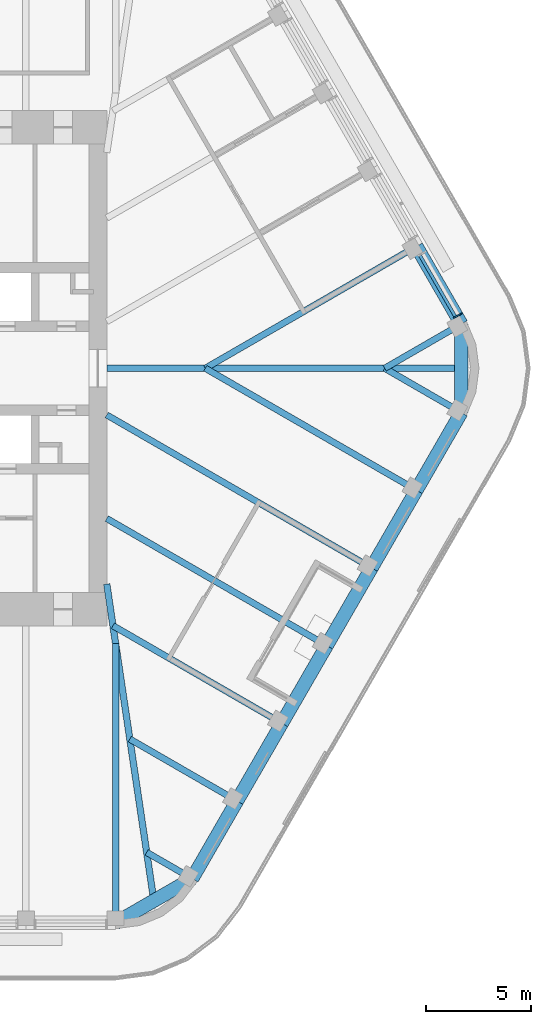
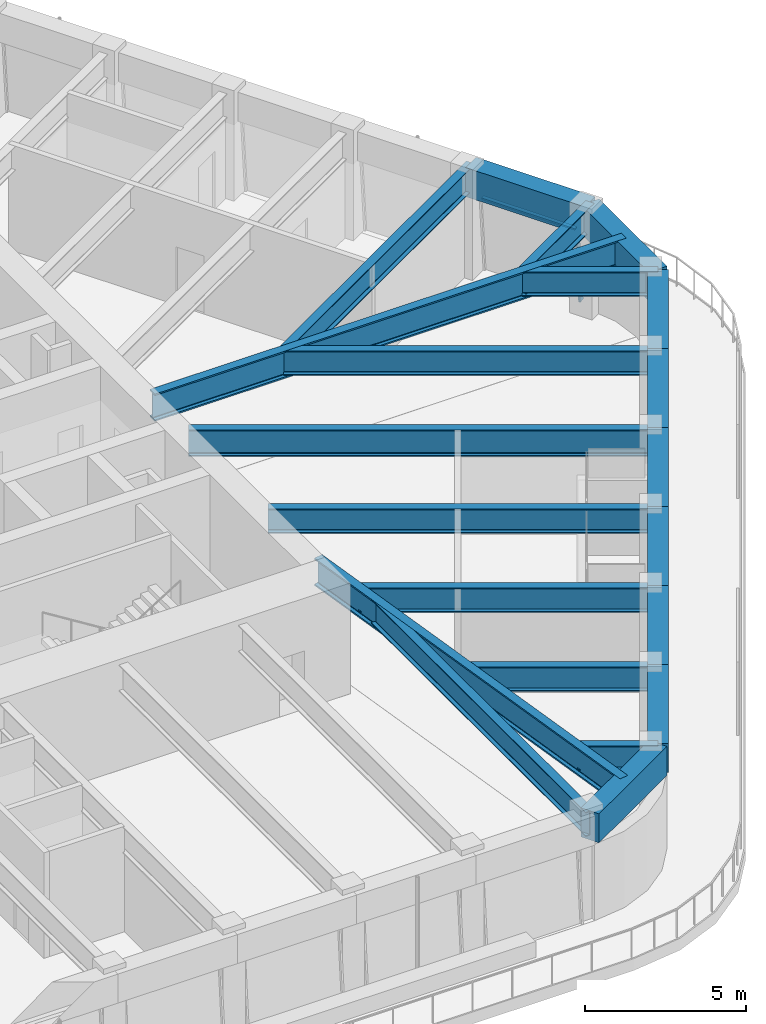
# One storey, part 5 of 19: 21 beams, 2 members, 1 element without a shape of its own.
"""IFC4 building model written with IfcOpenShell, lengths in metres."""

from ifc_helpers import new_model, si_unit, direction, frame, origin, origin_2d, place, context, subcontext, project, spatial, rectangle, i_section, extrude, material, material_profile, profile_set, type_object, element, aggregate, save


model = new_model("IFC4")

# Units and contexts
model_context = context("Model", 3, precision=1e-05, world=origin(), true_north=direction((0.0, 1.0)))
body_context = subcontext(model_context, "Body", "Model", "MODEL_VIEW")
ifc_project = project(units=[si_unit("LENGTHUNIT", "METRE"), si_unit("AREAUNIT", "SQUARE_METRE"), si_unit("VOLUMEUNIT", "CUBIC_METRE"), si_unit("PLANEANGLEUNIT", "RADIAN"), si_unit("MASSUNIT", "GRAM", prefix="KILO")], contexts=[model_context])

# Site, building, storey
site_placement = place(None, origin())
site = spatial("IfcSite", under=ifc_project, at=site_placement, CompositionType="ELEMENT")
building_placement = place(site_placement, origin())
building = spatial("IfcBuilding", under=site, at=building_placement, Name="Tarfa Lantern Tower", CompositionType="ELEMENT")
storey_placement = place(building_placement, frame((0.0, 0.0, 374.5)))
storey = spatial("IfcBuildingStorey", under=building, at=storey_placement, Name="L85", CompositionType="ELEMENT", Elevation=374.5)

# Curtain wall, members
ifc_material_1 = material(Name="Aluminium framed curtain wall", Category="aluminium")
curtain_wall_type = type_object("IfcCurtainWallType", Name="CW4 CANTED GLAZING EXECUTIVE ZONE 2900", PredefinedType="USERDEFINED", material=ifc_material_1)
curtain_wall_placement = place(storey_placement, origin())
curtain_wall = element("IfcCurtainWall", 1, at=curtain_wall_placement, inside=storey, type_object=curtain_wall_type, Name="CW4 NE L85", ObjectType="CURTAIN WALL", PredefinedType="USERDEFINED")
ifc_material_2 = material(Name="Aluminium mullion", Category="aluminium")
ifc_material_profile_1 = material_profile(ifc_material_2, rectangle(XDim=0.06494140625, YDim=0.199951171875, at=origin_2d()), Name="AL MULLION 65x200")
ifc_profile_set_1 = profile_set([ifc_material_profile_1], Name="Aluminium mullion")
member_type_1 = type_object("IfcMemberType", Name="CWM1 MULLION 65x200", PredefinedType="MULLION", material=ifc_profile_set_1)
member_1_placement = place(storey_placement, frame((29.286376953125, 2.574462890625, 0.0), z_axis=(-0.074399820079, -0.042945555672, 0.996303340364), x_axis=(0.499919672301, -0.866071776036, 0.0)))
member_1 = element("IfcMember", 2, at=member_1_placement, type_object=member_type_1, Name="CW4 mullion 1", PredefinedType="MULLION", context=body_context, shape_type="SweptSolid", body=[
    extrude(rectangle(XDim=0.06494140625, YDim=0.199951171875, at=origin_2d()), origin(), (0.0, 0.0, 1.0), 2.91064453125),
])
ifc_material_3 = material(Name="Aluminium transom", Category="aluminium")
ifc_material_profile_2 = material_profile(ifc_material_3, rectangle(XDim=0.14990234375, YDim=0.06494140625, at=origin_2d()), Name="AL TRANSOM 150x65")
ifc_profile_set_2 = profile_set([ifc_material_profile_2], Name="Aluminium transom")
member_type_2 = type_object("IfcMemberType", Name="CWT1 TRANSOM 150x65", PredefinedType="USERDEFINED", material=ifc_profile_set_2)
member_2_placement = place(storey_placement, frame((29.055908203125, 2.47900390625, 2.867431640625), z_axis=(-0.499930512259, 0.866065518833, 0.0), x_axis=(-0.866065518833, -0.499930512259, 0.0)))
member_2 = element("IfcMember", 3, at=member_2_placement, type_object=member_type_2, Name="CW4 transom 1.2", ObjectType="TRANSOM", PredefinedType="USERDEFINED", context=body_context, shape_type="SweptSolid", body=[
    extrude(rectangle(XDim=0.14990234375, YDim=0.06494140625, at=origin_2d()), origin(), (0.0, 0.0, 1.0), 3.35205078125),
])
aggregate(curtain_wall, [member_1, member_2])

# Beams
ifc_material_4 = material(Name="Concrete C80/95", Category="concrete")
ifc_material_profile_3 = material_profile(ifc_material_4, rectangle(XDim=0.64990234375, YDim=1.10009765625, at=origin_2d()), Name="RC 650x1100")
ifc_profile_set_3 = profile_set([ifc_material_profile_3], Name="Concrete C80/95")
beam_type_1 = type_object("IfcBeamType", Name="EB4 RC 650x1100", PredefinedType="SPANDREL", material=ifc_profile_set_3)
beam_1_placement = place(storey_placement, frame((29.3466796875, 2.110107421875, 3.449951171875), z_axis=(-0.499984039138, 0.866034618596, 0.0), x_axis=(-0.866034618596, -0.499984039138, 0.0)))
element("IfcBeam", 4, at=beam_1_placement, inside=storey, type_object=beam_type_1, Name="Edge beam NE0", PredefinedType="SPANDREL", context=body_context, shape_type="SweptSolid", body=[
    extrude(rectangle(XDim=0.64990234375, YDim=1.10009765625, at=origin_2d()), origin(), (0.0, 0.0, 1.0), 4.281982421875),
])
beam_2_placement = place(storey_placement, frame((12.845947265625, -26.469970703125, 3.449951171875), z_axis=(0.866048788483, 0.499959494327, 0.0), x_axis=(-0.499959494327, 0.866048788483, 0.0)))
element("IfcBeam", 5, at=beam_2_placement, inside=storey, type_object=beam_type_1, Name="Edge beam S6", PredefinedType="SPANDREL", context=body_context, shape_type="SweptSolid", body=[
    extrude(rectangle(XDim=0.64990234375, YDim=1.10009765625, at=origin_2d()), origin(), (0.0, 0.0, 1.0), 4.219970703125),
])
for number, where, z_axis, x_axis, name in (
    (6, (16.500732421875, -24.360107421875, 3.449951171875), (0.499959351497, 0.866048870937, 0.0), (-0.866048870937, 0.499959351497, 0.0), "Edge beam SE0"),
    (7, (18.6416015625, -20.651611328125, 3.449951171875), (0.500026801138, 0.866009929587, 0.0), (-0.866009929587, 0.500026801138, 0.0), "Edge beam SE1"),
    (8, (20.78271484375, -16.943359375, 3.449951171875), (0.499984039138, 0.866034618596, 0.0), (-0.866034618596, 0.499984039138, 0.0), "Edge beam SE2"),
):
    element("IfcBeam", number, at=place(storey_placement, frame(where, z_axis=z_axis, x_axis=x_axis)), inside=storey, type_object=beam_type_1, Name=name, PredefinedType="SPANDREL", context=body_context, shape_type="SweptSolid", body=[
        extrude(rectangle(XDim=0.64990234375, YDim=1.10009765625, at=origin_2d()), origin(), (0.0, 0.0, 1.0), 4.281982421875),
    ])
beam_3_placement = place(storey_placement, frame((22.923583984375, -13.235107421875, 3.449951171875), z_axis=(0.500002112793, 0.866024183959, 0.0), x_axis=(-0.866024183959, 0.500002112793, 0.0)))
element("IfcBeam", 9, at=beam_3_placement, inside=storey, type_object=beam_type_1, Name="Edge beam SE3", PredefinedType="SPANDREL", context=body_context, shape_type="SweptSolid", body=[
    extrude(rectangle(XDim=0.64990234375, YDim=1.10009765625, at=origin_2d()), origin(), (0.0, 0.0, 1.0), 4.2822265625),
])
for number, where, z_axis, x_axis, name in (
    (10, (25.064697265625, -9.526611328125, 3.449951171875), (0.500026801138, 0.866009929587, 0.0), (-0.866009929587, 0.500026801138, 0.0), "Edge beam SE4"),
    (11, (27.205810546875, -5.818359375, 3.449951171875), (0.499984039138, 0.866034618596, 0.0), (-0.866034618596, 0.499984039138, 0.0), "Edge beam SE5"),
):
    element("IfcBeam", number, at=place(storey_placement, frame(where, z_axis=z_axis, x_axis=x_axis)), inside=storey, type_object=beam_type_1, Name=name, PredefinedType="SPANDREL", context=body_context, shape_type="SweptSolid", body=[
        extrude(rectangle(XDim=0.64990234375, YDim=1.10009765625, at=origin_2d()), origin(), (0.0, 0.0, 1.0), 4.281982421875),
    ])
beam_4_placement = place(storey_placement, frame((29.3466796875, -2.110107421875, 3.449951171875), z_axis=(0.0, 1.0, 0.0), x_axis=(-1.0, 0.0, 0.0)))
element("IfcBeam", 12, at=beam_4_placement, inside=storey, type_object=beam_type_1, Name="Edge beam SE6", PredefinedType="SPANDREL", context=body_context, shape_type="SweptSolid", body=[
    extrude(rectangle(XDim=0.64990234375, YDim=1.10009765625, at=origin_2d()), origin(), (0.0, 0.0, 1.0), 4.22021484375),
])
ifc_material_5 = material(Name="Steel S460M", Category="steel")
ifc_material_profile_4 = material_profile(ifc_material_5, i_section(OverallWidth=0.302001953125, OverallDepth=1.008056640625, WebThickness=0.02099609375, FlangeThickness=0.0400390625, FilletRadius=0.030029296875, at=origin_2d()), Name="UB1016x305x349")
ifc_profile_set_4 = profile_set([ifc_material_profile_4], Name="Steel S460M")
beam_type_2 = type_object("IfcBeamType", Name="UB1016x305x349", PredefinedType="BEAM", material=ifc_profile_set_4)
beam_5_placement = place(storey_placement, frame((25.064697265625, -9.526611328125, 3.495849609375), z_axis=(-0.866029591389, 0.499992746786, 0.0), x_axis=(-0.499992746786, -0.866029591389, 0.0)))
element("IfcBeam", 13, at=beam_5_placement, inside=storey, type_object=beam_type_2, Name="Floor beam SE4", PredefinedType="BEAM", context=body_context, shape_type="SweptSolid", body=[
    extrude(i_section(OverallWidth=0.302001953125, OverallDepth=1.008056640625, WebThickness=0.02099609375, FlangeThickness=0.0400390625, FilletRadius=0.030029296875, at=origin_2d()), origin(), (0.0, 0.0, 1.0), 14.594970703125),
])
ifc_material_profile_5 = material_profile(ifc_material_5, i_section(OverallWidth=0.30859375, OverallDepth=1.036376953125, WebThickness=0.030029296875, FlangeThickness=0.05419921875, FilletRadius=0.030029296875, at=origin_2d()), Name="UB1016x305x487")
ifc_profile_set_5 = profile_set([ifc_material_profile_5], Name="Steel S460M")
beam_type_3 = type_object("IfcBeamType", Name="UB1016x305x487", PredefinedType="BEAM", material=ifc_profile_set_5)
beam_6_placement = place(storey_placement, frame((12.425048828125, 0.0, 3.48193359375), z_axis=(1.0, 0.0, 0.0), x_axis=(0.0, 1.0, 0.0)))
element("IfcBeam", 14, at=beam_6_placement, inside=storey, type_object=beam_type_3, Name="Hip girder E", PredefinedType="BEAM", context=body_context, shape_type="SweptSolid", body=[
    extrude(i_section(OverallWidth=0.30859375, OverallDepth=1.036376953125, WebThickness=0.030029296875, FlangeThickness=0.05419921875, FilletRadius=0.030029296875, at=origin_2d()), origin(), (0.0, 0.0, 1.0), 16.921630859375),
])
beam_7_placement = place(storey_placement, frame((12.425048828125, -10.300048828125, 3.48193359375), z_axis=(0.147127069073, -0.989117599452, 0.0), x_axis=(0.989117599452, 0.147127069073, 0.0)))
element("IfcBeam", 15, at=beam_7_placement, inside=storey, type_object=beam_type_3, Name="Hip girder SE", PredefinedType="BEAM", context=body_context, shape_type="SweptSolid", body=[
    extrude(i_section(OverallWidth=0.30859375, OverallDepth=1.036376953125, WebThickness=0.030029296875, FlangeThickness=0.05419921875, FilletRadius=0.030029296875, at=origin_2d()), origin(), (0.0, 0.0, 1.0), 15.28125),
])
ifc_material_profile_6 = material_profile(ifc_material_5, i_section(OverallWidth=0.305419921875, OverallDepth=0.91845703125, WebThickness=0.017333984375, FlangeThickness=0.02783203125, FilletRadius=0.01904296875, at=origin_2d()), Name="UB914x305x253")
ifc_profile_set_6 = profile_set([ifc_material_profile_6], Name="Steel S460M")
beam_type_4 = type_object("IfcBeamType", Name="UB914x305x253", PredefinedType="BEAM", material=ifc_profile_set_6)
beam_8_placement = place(storey_placement, frame((29.3466796875, 2.110107421875, 3.540771484375), z_axis=(-0.866009274789, -0.500027935199, 0.0), x_axis=(0.500027935199, -0.866009274789, 0.0)))
element("IfcBeam", 16, at=beam_8_placement, inside=storey, type_object=beam_type_4, Name="Floor beam NE0", PredefinedType="BEAM", context=body_context, shape_type="SweptSolid", body=[
    extrude(i_section(OverallWidth=0.305419921875, OverallDepth=0.91845703125, WebThickness=0.017333984375, FlangeThickness=0.02783203125, FilletRadius=0.01904296875, at=origin_2d()), origin(), (0.0, 0.0, 1.0), 4.219970703125),
])
beam_9_placement = place(storey_placement, frame((27.205810546875, 5.818359375, 3.540771484375), z_axis=(-0.866024171998, -0.500002133511, 0.0), x_axis=(0.500002133511, -0.866024171998, 0.0)))
element("IfcBeam", 17, at=beam_9_placement, inside=storey, type_object=beam_type_4, Name="Floor beam NE1", PredefinedType="BEAM", context=body_context, shape_type="SweptSolid", body=[
    extrude(i_section(OverallWidth=0.305419921875, OverallDepth=0.91845703125, WebThickness=0.017333984375, FlangeThickness=0.02783203125, FilletRadius=0.01904296875, at=origin_2d()), origin(), (0.0, 0.0, 1.0), 11.63671875),
])
beam_10_placement = place(storey_placement, frame((12.845947265625, -26.469970703125, 3.540771484375), z_axis=(0.0, 1.0, 0.0), x_axis=(-1.0, 0.0, 0.0)))
element("IfcBeam", 18, at=beam_10_placement, inside=storey, type_object=beam_type_4, Name="Floor beam S6", PredefinedType="BEAM", context=body_context, shape_type="SweptSolid", body=[
    extrude(i_section(OverallWidth=0.305419921875, OverallDepth=0.91845703125, WebThickness=0.017333984375, FlangeThickness=0.02783203125, FilletRadius=0.01904296875, at=origin_2d()), origin(), (0.0, 0.0, 1.0), 13.33935546875),
])
beam_11_placement = place(storey_placement, frame((16.500732421875, -24.360107421875, 3.540771484375), z_axis=(-0.865992557167, 0.500056887695, 0.0), x_axis=(-0.500056887695, -0.865992557167, 0.0)))
element("IfcBeam", 19, at=beam_11_placement, inside=storey, type_object=beam_type_4, Name="Floor beam SE0", PredefinedType="BEAM", context=body_context, shape_type="SweptSolid", body=[
    extrude(i_section(OverallWidth=0.305419921875, OverallDepth=0.91845703125, WebThickness=0.017333984375, FlangeThickness=0.02783203125, FilletRadius=0.01904296875, at=origin_2d()), origin(), (0.0, 0.0, 1.0), 2.506591796875),
])
beam_12_placement = place(storey_placement, frame((18.6416015625, -20.651611328125, 3.540771484375), z_axis=(-0.866024549157, 0.500001480256, 0.0), x_axis=(-0.500001480256, -0.866024549157, 0.0)))
element("IfcBeam", 20, at=beam_12_placement, inside=storey, type_object=beam_type_4, Name="Floor beam SE1", PredefinedType="BEAM", context=body_context, shape_type="SweptSolid", body=[
    extrude(i_section(OverallWidth=0.305419921875, OverallDepth=0.91845703125, WebThickness=0.017333984375, FlangeThickness=0.02783203125, FilletRadius=0.01904296875, at=origin_2d()), origin(), (0.0, 0.0, 1.0), 5.90771484375),
])
beam_13_placement = place(storey_placement, frame((20.78271484375, -16.943359375, 3.540771484375), z_axis=(-0.866021806508, 0.500006230613, 0.0), x_axis=(-0.500006230613, -0.866021806508, 0.0)))
element("IfcBeam", 21, at=beam_13_placement, inside=storey, type_object=beam_type_4, Name="Floor beam SE2", PredefinedType="BEAM", context=body_context, shape_type="SweptSolid", body=[
    extrude(i_section(OverallWidth=0.305419921875, OverallDepth=0.91845703125, WebThickness=0.017333984375, FlangeThickness=0.02783203125, FilletRadius=0.01904296875, at=origin_2d()), origin(), (0.0, 0.0, 1.0), 9.30908203125),
])
beam_14_placement = place(storey_placement, frame((22.923583984375, -13.235107421875, 3.540771484375), z_axis=(-0.86601856927, 0.500011837539, 0.0), x_axis=(-0.500011837539, -0.86601856927, 0.0)))
element("IfcBeam", 22, at=beam_14_placement, inside=storey, type_object=beam_type_4, Name="Floor beam SE3", PredefinedType="BEAM", context=body_context, shape_type="SweptSolid", body=[
    extrude(i_section(OverallWidth=0.305419921875, OverallDepth=0.91845703125, WebThickness=0.017333984375, FlangeThickness=0.02783203125, FilletRadius=0.01904296875, at=origin_2d()), origin(), (0.0, 0.0, 1.0), 12.122802734375),
])
beam_15_placement = place(storey_placement, frame((27.205810546875, -5.818359375, 3.540771484375), z_axis=(-0.866024171998, 0.500002133511, 0.0), x_axis=(-0.500002133511, -0.866024171998, 0.0)))
element("IfcBeam", 23, at=beam_15_placement, inside=storey, type_object=beam_type_4, Name="Floor beam SE5", PredefinedType="BEAM", context=body_context, shape_type="SweptSolid", body=[
    extrude(i_section(OverallWidth=0.305419921875, OverallDepth=0.91845703125, WebThickness=0.017333984375, FlangeThickness=0.02783203125, FilletRadius=0.01904296875, at=origin_2d()), origin(), (0.0, 0.0, 1.0), 11.63671875),
])
beam_16_placement = place(storey_placement, frame((29.3466796875, -2.110107421875, 3.540771484375), z_axis=(-0.866009274789, 0.500027935199, 0.0), x_axis=(-0.500027935199, -0.866009274789, 0.0)))
element("IfcBeam", 24, at=beam_16_placement, inside=storey, type_object=beam_type_4, Name="Floor beam SE6", PredefinedType="BEAM", context=body_context, shape_type="SweptSolid", body=[
    extrude(i_section(OverallWidth=0.305419921875, OverallDepth=0.91845703125, WebThickness=0.017333984375, FlangeThickness=0.02783203125, FilletRadius=0.01904296875, at=origin_2d()), origin(), (0.0, 0.0, 1.0), 4.219970703125),
])

save(model, "model.ifc")
